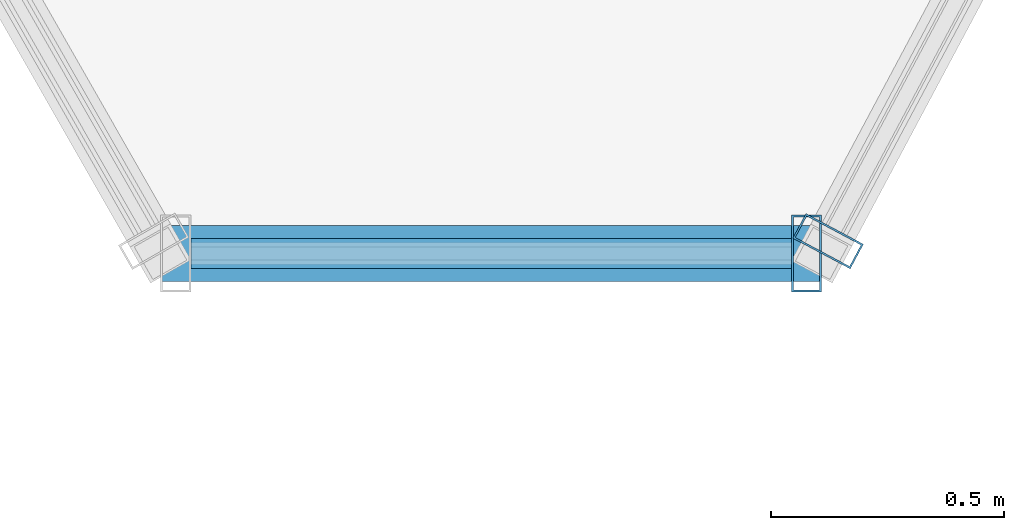
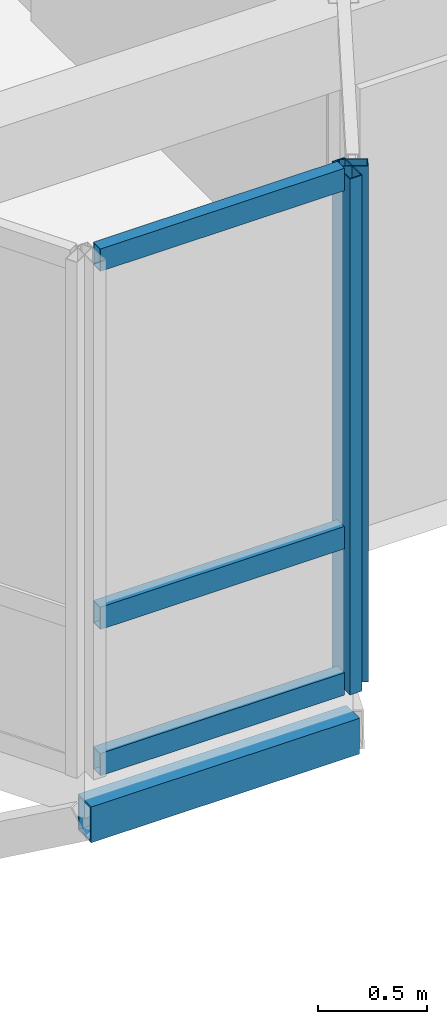
# One storey, part 38 of 79: 6 members, 2 elements without a shape of their own.
"""IFC4 building model written with IfcOpenShell, lengths in metres."""

from ifc_helpers import new_model, si_unit, direction, frame, origin, origin_2d, place, context, subcontext, project, spatial, hollow_rectangle, extrude, material, layer, layer_set, material_profile, profile_set, type_object, element, aggregate, save


model = new_model("IFC4")

# Units and contexts
model_context = context("Model", 3, precision=1e-05, world=origin(), true_north=direction((0.0, 1.0)))
body_context = subcontext(model_context, "Body", "Model", "MODEL_VIEW")
ifc_project = project(units=[si_unit("LENGTHUNIT", "METRE"), si_unit("AREAUNIT", "SQUARE_METRE"), si_unit("VOLUMEUNIT", "CUBIC_METRE"), si_unit("PLANEANGLEUNIT", "RADIAN"), si_unit("MASSUNIT", "GRAM", prefix="KILO"), si_unit("THERMODYNAMICTEMPERATUREUNIT", "KELVIN"), si_unit("POWERUNIT", "WATT")], contexts=[model_context])

# Site, building, storey
site_placement = place(None, origin())
site = spatial("IfcSite", under=ifc_project, at=site_placement, CompositionType="ELEMENT")
building_placement = place(site_placement, origin())
building = spatial("IfcBuilding", under=site, at=building_placement, Name="Tavuni Mirador Residences", CompositionType="ELEMENT")
storey_placement = place(building_placement, frame((0.0, 0.0, 13.949951171875)))
storey = spatial("IfcBuildingStorey", under=building, at=storey_placement, Name="L04", CompositionType="ELEMENT", Elevation=13.949951171875)

# Curtain wall, member
ifc_material_1 = material(Name="Anodised aluminium", Category="aluminium")
ifc_layer_1 = layer(ifc_material_1, 0.175048828125, Name="Anodised aluminium", Category="aluminium")
ifc_layer_set_1 = layer_set([ifc_layer_1], Name="Anodised aluminium")
curtain_wall_type_1 = type_object("IfcCurtainWallType", Name="CWT-MIR-C", PredefinedType="NOTDEFINED", material=ifc_layer_set_1)
curtain_wall_1_placement = place(storey_placement, origin())
curtain_wall_1 = element("IfcCurtainWall", 1, at=curtain_wall_1_placement, inside=storey, type_object=curtain_wall_type_1, Name="CW-MIR-C-S3-L04-M2", PredefinedType="NOTDEFINED")
ifc_material_profile_1 = material_profile(ifc_material_1, hollow_rectangle(XDim=0.06005859375, YDim=0.139892578125, WallThickness=0.00390625, at=origin_2d()), Name="ALU 60x140x4.0", Category="aluminium")
ifc_profile_set_1 = profile_set([ifc_material_profile_1], Name="Anodised aluminium")
member_type_1 = type_object("IfcMemberType", Name="CWM-140", PredefinedType="MULLION", material=ifc_profile_set_1)
member_1_placement = place(storey_placement, frame((49.194091796875, 142.826416015625, 0.0), z_axis=(0.0, 0.0, 1.0), x_axis=(0.470588235296, 0.882352941175, 0.0)))
member_1 = element("IfcMember", 2, at=member_1_placement, type_object=member_type_1, Name="CW-03 mullion 1", PredefinedType="MULLION", context=body_context, shape_type="SweptSolid", body=[
    extrude(hollow_rectangle(XDim=0.06005859375, YDim=0.139892578125, WallThickness=0.00390625, at=origin_2d()), origin(), (0.0, 0.0, 1.0), 2.885009765625),
])
aggregate(curtain_wall_1, [member_1])

# Curtain wall, members
ifc_layer_2 = layer(ifc_material_1, 0.14990234375, Name="Anodised aluminium", Category="aluminium")
ifc_layer_set_2 = layer_set([ifc_layer_2], Name="Anodised aluminium")
curtain_wall_type_2 = type_object("IfcCurtainWallType", Name="CWT-MIR-B", PredefinedType="NOTDEFINED", material=ifc_layer_set_2)
curtain_wall_2_placement = place(storey_placement, origin())
curtain_wall_2 = element("IfcCurtainWall", 3, at=curtain_wall_2_placement, inside=storey, type_object=curtain_wall_type_2, Name="CW-MIR-C-S3-L04-MF", PredefinedType="NOTDEFINED")
ifc_material_profile_2 = material_profile(ifc_material_1, hollow_rectangle(XDim=0.06494140625, YDim=0.1650390625, WallThickness=0.00439453125, at=origin_2d()), Name="ALU 65x165x4.5", Category="aluminium")
ifc_profile_set_2 = profile_set([ifc_material_profile_2], Name="Anodised aluminium")
member_type_2 = type_object("IfcMemberType", Name="CWM-165", PredefinedType="MULLION", material=ifc_profile_set_2)
member_2_placement = place(storey_placement, frame((49.1474609375, 142.800048828125, 0.0), z_axis=(0.0, 0.0, 1.0), x_axis=(1.0, 0.0, 0.0)))
member_2 = element("IfcMember", 4, at=member_2_placement, type_object=member_type_2, Name="CW-02 mullion 2", PredefinedType="MULLION", context=body_context, shape_type="SweptSolid", body=[
    extrude(hollow_rectangle(XDim=0.06494140625, YDim=0.1650390625, WallThickness=0.00439453125, at=origin_2d()), origin(), (0.0, 0.0, 1.0), 2.885009765625),
])
ifc_material_profile_3 = material_profile(ifc_material_1, hollow_rectangle(XDim=0.06494140625, YDim=0.125, WallThickness=0.00439453125, at=origin_2d()), Name="ALU 65x125x4.5", Category="aluminium")
ifc_profile_set_3 = profile_set([ifc_material_profile_3], Name="Anodised aluminium")
member_type_3 = type_object("IfcMemberType", Name="CWT-125", PredefinedType="USERDEFINED", material=ifc_profile_set_3)
member_3_placement = place(storey_placement, frame((47.824951171875, 142.800048828125, 0.032470703125), z_axis=(1.0, 0.0, 0.0), x_axis=(0.0, 1.0, 0.0)))
member_3 = element("IfcMember", 5, at=member_3_placement, type_object=member_type_3, Name="CW-02 transom 1.1", ObjectType="TRANSOM", PredefinedType="USERDEFINED", context=body_context, shape_type="SweptSolid", body=[
    extrude(hollow_rectangle(XDim=0.06494140625, YDim=0.125, WallThickness=0.00439453125, at=origin_2d()), origin(), (0.0, 0.0, 1.0), 1.2900390625),
])
member_4_placement = place(storey_placement, frame((47.824951171875, 142.800048828125, 0.85009765625), z_axis=(1.0, 0.0, 0.0), x_axis=(0.0, 1.0, 0.0)))
member_4 = element("IfcMember", 6, at=member_4_placement, type_object=member_type_3, Name="CW-02 transom 1.2", ObjectType="TRANSOM", PredefinedType="USERDEFINED", context=body_context, shape_type="SweptSolid", body=[
    extrude(hollow_rectangle(XDim=0.06494140625, YDim=0.125, WallThickness=0.00439453125, at=origin_2d()), origin(), (0.0, 0.0, 1.0), 1.2900390625),
])
member_5_placement = place(storey_placement, frame((47.824951171875, 142.800048828125, 2.8525390625), z_axis=(1.0, 0.0, 0.0), x_axis=(0.0, 1.0, 0.0)))
member_5 = element("IfcMember", 7, at=member_5_placement, type_object=member_type_3, Name="CW-02 transom 1.3", ObjectType="TRANSOM", PredefinedType="USERDEFINED", context=body_context, shape_type="SweptSolid", body=[
    extrude(hollow_rectangle(XDim=0.06494140625, YDim=0.125, WallThickness=0.00439453125, at=origin_2d()), origin(), (0.0, 0.0, 1.0), 1.2900390625),
])
aggregate(curtain_wall_2, [member_2, member_3, member_4, member_5])

# Member
ifc_material_2 = material(Name="Structural steel S355", Category="steel")
ifc_material_profile_4 = material_profile(ifc_material_2, hollow_rectangle(XDim=0.1201171875, YDim=0.199951171875, WallThickness=0.010009765625, at=origin_2d()), Name="RHS 200x120x10.0", Category="steel")
ifc_profile_set_4 = profile_set([ifc_material_profile_4], Name="Structural steel S355")
member_type_4 = type_object("IfcMemberType", Name="MT-ST-RHS200", PredefinedType="STRUT", material=ifc_profile_set_4)
member_6_placement = place(storey_placement, frame((47.760009765625, 142.800048828125, -0.264892578125), z_axis=(1.0, 0.0, 0.0), x_axis=(0.0, 1.0, 0.0)))
element("IfcMember", 8, at=member_6_placement, inside=storey, type_object=member_type_4, Name="MRIM-MIR-C-S3-L04", PredefinedType="STRUT", context=body_context, shape_type="SweptSolid", body=[
    extrude(hollow_rectangle(XDim=0.1201171875, YDim=0.199951171875, WallThickness=0.010009765625, at=origin_2d()), origin(), (0.0, 0.0, 1.0), 1.419921875),
])

save(model, "model.ifc")
